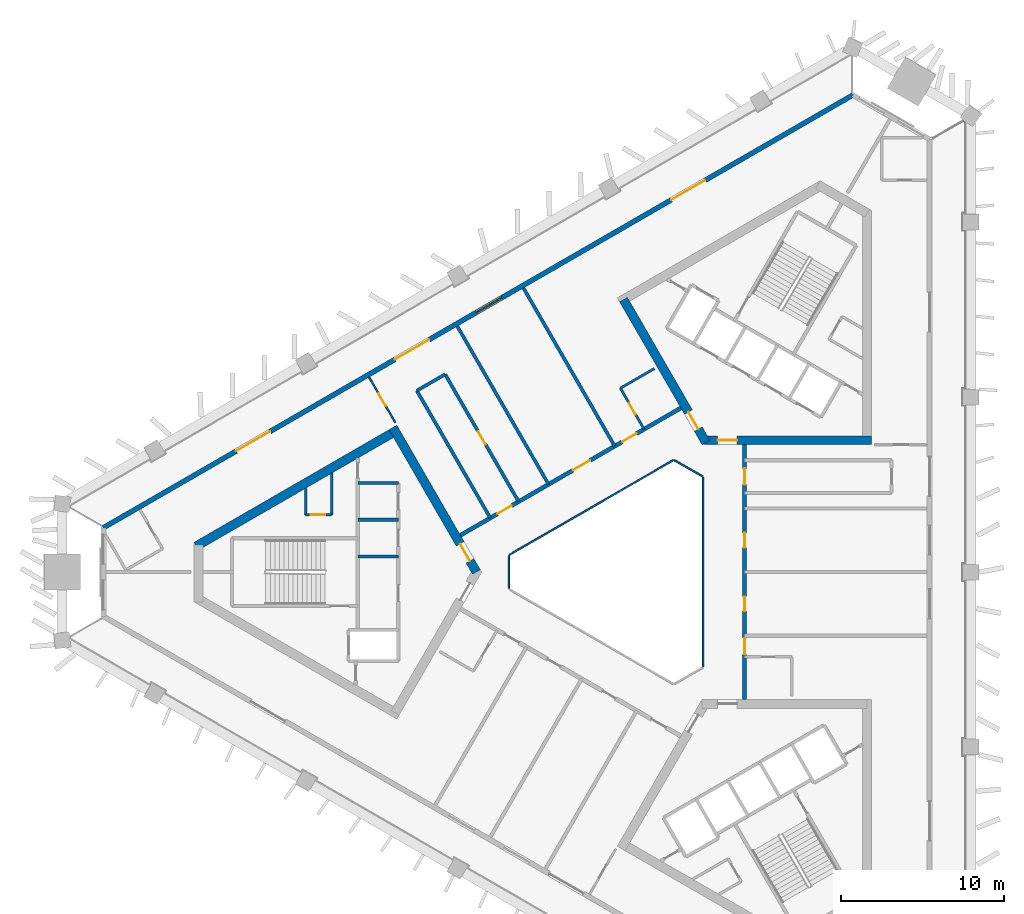
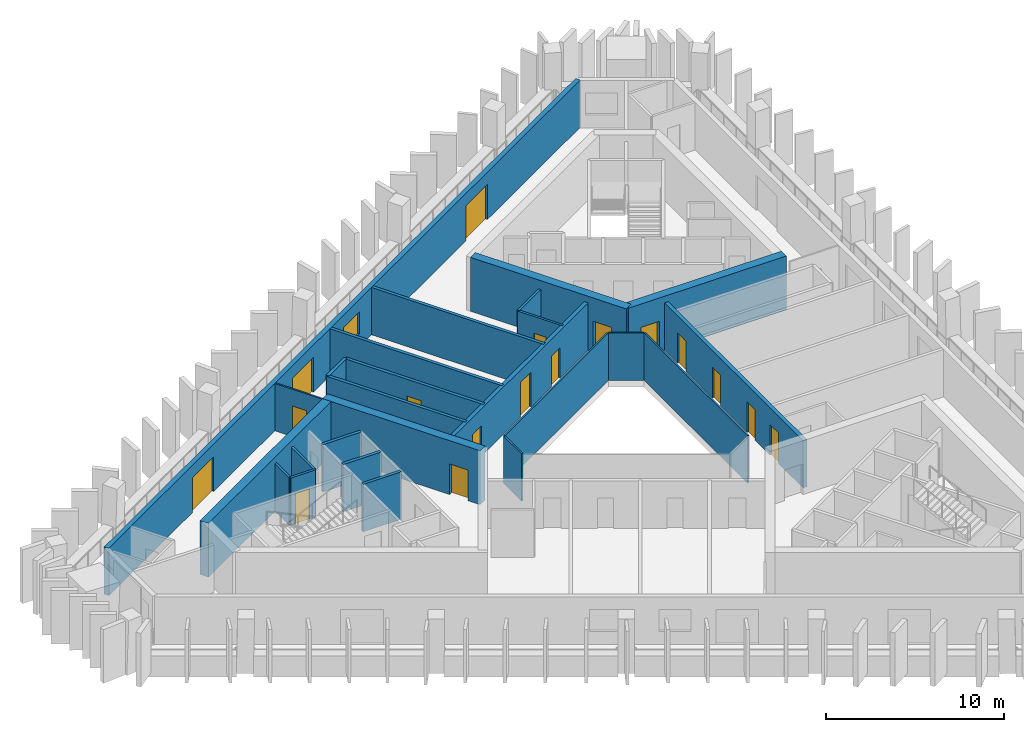
# One storey, part 4 of 9: 25 walls, 17 doors, 1 window, 18 openings.
"""IFC4 building model written with IfcOpenShell, lengths in metres."""

import ifcopenshell
import ifcopenshell.guid

model = None  # the IFC model being written
_history = None  # IfcOwnerHistory: only IFC2X3 demands one
_inside = {}  # id of a spatial element -> (the spatial element, [elements in it])
_under = {}  # id of a project, library or spatial element -> (it, [spatial elements below it])
_declared = {}  # id of a project -> (the project, [libraries it declares])
_typed = {}  # id of a type object -> (the type object, [elements of that type])
_made_of = {}  # id of a material, layer set ... -> (it, [elements and type objects made of it])


def new_model(schema):
    """Start an empty IFC model of exactly this schema.

    Asked for "IFC4X3", IfcOpenShell would pick the latest addendum, in which some entities
    have other attributes; the version numbers below select the first issue.
    IFC2X3 requires an IfcOwnerHistory on every rooted entity: one is made here for all.
    """
    global model, _history
    if schema == "IFC4X3":
        model = ifcopenshell.file(schema_version=(4, 3, 0, 0))
    else:
        model = ifcopenshell.file(schema=schema)
    _inside.clear()
    _under.clear()
    _declared.clear()
    _typed.clear()
    _made_of.clear()
    _history = None
    if model.schema == "IFC2X3":
        org = make("IfcOrganization", Name="unknown")
        user = make(
            "IfcPersonAndOrganization",
            ThePerson=make("IfcPerson", FamilyName="unknown"),
            TheOrganization=org,
        )
        app = make(
            "IfcApplication",
            ApplicationDeveloper=org,
            Version="unknown",
            ApplicationFullName="unknown",
            ApplicationIdentifier="unknown",
        )
        _history = make(
            "IfcOwnerHistory",
            OwningUser=user,
            OwningApplication=app,
            ChangeAction="ADDED",
            CreationDate=0,
        )
    return model


def make(cls, **values):
    """One entity of the class cls with the attributes given. An attribute that is None is left unset."""
    return model.create_entity(
        cls, **{name: value for name, value in values.items() if value is not None}
    )


def rooted(cls, **values):
    """An entity with a GlobalId (a new one), such as an element, a storey or a relation."""
    return make(cls, GlobalId=ifcopenshell.guid.new(), OwnerHistory=_history, **values)


def si_unit(unit_type, name, prefix=None):
    """IfcSIUnit, for example si_unit("LENGTHUNIT", "METRE", prefix="MILLI")."""
    return make("IfcSIUnit", UnitType=unit_type, Prefix=prefix, Name=name)


def assignment(units):
    """IfcUnitAssignment: the units of a project."""
    return None if units is None else make("IfcUnitAssignment", Units=units)


def point(xyz):
    """IfcCartesianPoint."""
    return None if xyz is None else make("IfcCartesianPoint", Coordinates=xyz)


def direction(xyz):
    """IfcDirection."""
    return None if xyz is None else make("IfcDirection", DirectionRatios=xyz)


def frame(location, z_axis=None, x_axis=None):
    """IfcAxis2Placement3D, a coordinate frame: its origin and axes. An axis left out is left unset."""
    return make(
        "IfcAxis2Placement3D",
        Location=point(location),
        Axis=direction(z_axis),
        RefDirection=direction(x_axis),
    )


def frame_2d(location, x_axis=None):
    """IfcAxis2Placement2D, a coordinate frame in the plane: its origin and x axis."""
    return make(
        "IfcAxis2Placement2D", Location=point(location), RefDirection=direction(x_axis)
    )


def origin():
    """The frame at (0, 0, 0) with its axes left unset."""
    return frame((0.0, 0.0, 0.0))


def place(relative_to, where):
    """IfcLocalPlacement: puts the frame where relative to a parent placement (None: the world)."""
    return make(
        "IfcLocalPlacement", PlacementRelTo=relative_to, RelativePlacement=where
    )


def context(
    kind, dimensions, precision=None, world=None, true_north=None, identifier=None
):
    """IfcGeometricRepresentationContext, for example the 3D "Model" context."""
    return make(
        "IfcGeometricRepresentationContext",
        ContextIdentifier=identifier,
        ContextType=kind,
        CoordinateSpaceDimension=dimensions,
        Precision=precision,
        WorldCoordinateSystem=world,
        TrueNorth=true_north,
    )


def subcontext(parent, identifier, kind, view, scale=None):
    """IfcGeometricRepresentationSubContext, for example "Body" below "Model"."""
    return make(
        "IfcGeometricRepresentationSubContext",
        ContextIdentifier=identifier,
        ContextType=kind,
        ParentContext=parent,
        TargetScale=scale,
        TargetView=view,
    )


def project(units=None, contexts=None):
    """IfcProject with its units and contexts."""
    return rooted(
        "IfcProject",
        Name="project",
        RepresentationContexts=contexts,
        UnitsInContext=assignment(units),
    )


def spatial(cls, under=None, at=None, **own):
    """A site, building, storey or space (cls), placed at a placement, below another one or the project."""
    s = rooted(cls, ObjectPlacement=at, **own)
    if under is not None:
        _under.setdefault(under.id(), (under, []))[1].append(s)
    return s


def profile(cls, at=None, kind="AREA", **sizes):
    """A parametric profile (cls). Its sizes go by their IFC names, for example OverallWidth=200.0."""
    return make(cls, ProfileType=kind, Position=at, **sizes)


def rectangle(**sizes):
    """IfcRectangleProfileDef."""
    return profile("IfcRectangleProfileDef", **sizes)


def extrude(swept, where, along, depth):
    """IfcExtrudedAreaSolid: the profile swept, set in the frame where, extruded along a direction by depth."""
    return make(
        "IfcExtrudedAreaSolid",
        SweptArea=swept,
        Position=where,
        ExtrudedDirection=direction(along),
        Depth=depth,
    )


def shape(context_of_items, identifier, shape_type, items):
    """IfcShapeRepresentation: the items that make up one representation, for example the "Body"."""
    return make(
        "IfcShapeRepresentation",
        ContextOfItems=context_of_items,
        RepresentationIdentifier=identifier,
        RepresentationType=shape_type,
        Items=items,
    )


def material(Name=None, Category=None):
    """IfcMaterial."""
    return make("IfcMaterial", Name=Name, Category=Category)


def layer(
    of_material, thickness, ventilated=None, Name=None, Category=None, Priority=None
):
    """IfcMaterialLayer: one layer of a wall or slab, of a material (None: an air gap)."""
    return make(
        "IfcMaterialLayer",
        Material=of_material,
        LayerThickness=thickness,
        IsVentilated=ventilated,
        Name=Name,
        Category=Category,
        Priority=Priority,
    )


def layer_set(layers, Name=None):
    """IfcMaterialLayerSet."""
    return make("IfcMaterialLayerSet", MaterialLayers=layers, LayerSetName=Name)


def made_of(thing, what):
    """Note that an element or type object is made of a material, layer set ...; save() writes the relation."""
    if what is not None:
        _made_of.setdefault(what.id(), (what, []))[1].append(thing)
    return thing


def type_object(cls, material=None, **own):
    """A type object (cls), such as IfcWallType, which elements share."""
    return made_of(rooted(cls, **own), material)


def element(
    cls,
    number,
    at=None,
    inside=None,
    cuts=None,
    type_object=None,
    material=None,
    context=None,
    identifier="Body",
    shape_type=None,
    held_by="IfcProductDefinitionShape",
    body=None,
    shapes=None,
    **own,
):
    """One element of the class cls, such as IfcWall. Its Tag is "e" and its number.

    at: its placement. inside: the storey or other place that contains it. cuts: it is an
    opening in that element (IfcRelVoidsElement). A single representation is given by context,
    identifier, shape_type and body (its items); several are given by shapes. held_by: the class
    of the entity that holds the representations. save() writes the other relations.
    """
    e = rooted(cls, Tag="e%d" % number, ObjectPlacement=at, **own)
    if body is not None:
        shapes = [shape(context, identifier, shape_type, body)]
    if shapes is not None:
        e.Representation = make(held_by, Representations=shapes)
    if inside is not None:
        _inside.setdefault(inside.id(), (inside, []))[1].append(e)
    if cuts is not None:
        rooted(
            "IfcRelVoidsElement", RelatingBuildingElement=cuts, RelatedOpeningElement=e
        )
    if type_object is not None:
        _typed.setdefault(type_object.id(), (type_object, []))[1].append(e)
    return made_of(e, material)


def fill(opening, filler):
    """IfcRelFillsElement: the door or window that sits in an opening."""
    return rooted(
        "IfcRelFillsElement",
        RelatingOpeningElement=opening,
        RelatedBuildingElement=filler,
    )


def aggregate(whole, parts):
    """IfcRelAggregates: a whole, such as a stair, and the parts it consists of."""
    return rooted("IfcRelAggregates", RelatingObject=whole, RelatedObjects=parts)


def save(model, path):
    """Write the relations noted so far, then the file.

    IfcRelAggregates (storeys below a building ...), IfcRelContainedInSpatialStructure (elements
    in a storey), IfcRelDefinesByType, IfcRelAssociatesMaterial and IfcRelDeclares: one each for
    every whole, place, type object, material and project.
    """
    for whole, parts in _under.values():
        aggregate(whole, parts)
    for where, things in _inside.values():
        rooted(
            "IfcRelContainedInSpatialStructure",
            RelatedElements=things,
            RelatingStructure=where,
        )
    for kind, things in _typed.values():
        rooted("IfcRelDefinesByType", RelatedObjects=things, RelatingType=kind)
    for what, things in _made_of.values():
        rooted("IfcRelAssociatesMaterial", RelatedObjects=things, RelatingMaterial=what)
    for by, libraries in _declared.values():
        rooted("IfcRelDeclares", RelatingContext=by, RelatedDefinitions=libraries)
    model.write(path)


model = new_model("IFC4")

# Units and contexts
model_context = context("Model", 3, precision=1e-05, world=origin(), true_north=direction((0.0, 1.0)))
body_context = subcontext(model_context, "Body", "Model", "MODEL_VIEW")
ifc_project = project(units=[si_unit("LENGTHUNIT", "METRE"), si_unit("AREAUNIT", "SQUARE_METRE"), si_unit("VOLUMEUNIT", "CUBIC_METRE"), si_unit("PLANEANGLEUNIT", "RADIAN"), si_unit("MASSUNIT", "GRAM", prefix="KILO")], contexts=[model_context])

# Site, building, storey
site_placement = place(None, origin())
site = spatial("IfcSite", under=ifc_project, at=site_placement, CompositionType="ELEMENT")
building_placement = place(site_placement, origin())
building = spatial("IfcBuilding", under=site, at=building_placement, Name="Jabali Bay Hotel Tower and Convention Centre", CompositionType="ELEMENT")
storey_placement = place(building_placement, frame((0.0, 0.0, 182.199951171875)))
storey = spatial("IfcBuildingStorey", under=building, at=storey_placement, Name="L44", CompositionType="ELEMENT", Elevation=182.199951171875)

# Walls
ifc_material_1 = material(Name="Fire-resistant glazing", Category="glass")
ifc_layer_1 = layer(ifc_material_1, 0.10009765625)
ifc_layer_set_1 = layer_set([ifc_layer_1], Name="Fire-resistant glazing")
wall_type_1 = type_object("IfcWallType", Name="Atrium glazed screen 100", PredefinedType="PARTITIONING", material=ifc_layer_set_1)
wall_1_placement = place(storey_placement, frame((79.56005859375, 74.205810546875, 0.0), z_axis=(0.0, 0.0, 1.0), x_axis=(0.0, 1.0, 0.0)))
element("IfcWall", 1, at=wall_1_placement, inside=storey, type_object=wall_type_1, Name="Atrium screen 1 L44", PredefinedType="PARTITIONING", context=body_context, shape_type="SweptSolid", body=[
    extrude(rectangle(XDim=11.58837890625, YDim=0.10009765625, at=frame_2d((5.794189453125, 0.0))), origin(), (0.0, 0.0, 1.0), 3.25),
])
wall_2_placement = place(storey_placement, frame((79.530029296875, 85.84619140625, 0.0), z_axis=(0.0, 0.0, 1.0), x_axis=(-0.866041268327, 0.499972520799, 0.0)))
element("IfcWall", 2, at=wall_2_placement, inside=storey, type_object=wall_type_1, Name="Atrium screen 2 L44", PredefinedType="PARTITIONING", context=body_context, shape_type="SweptSolid", body=[
    extrude(rectangle(XDim=2.0, YDim=0.10009765625, at=frame_2d((1.0, 0.0))), origin(), (0.0, 0.0, 1.0), 3.25),
])
wall_3_placement = place(storey_placement, frame((77.738037109375, 86.84619140625, 0.0), z_axis=(0.0, 0.0, 1.0), x_axis=(-0.866026658274, -0.499997827154, 0.0)))
element("IfcWall", 3, at=wall_3_placement, inside=storey, type_object=wall_type_1, Name="Atrium screen 3 L44", PredefinedType="PARTITIONING", context=body_context, shape_type="SweptSolid", body=[
    extrude(rectangle(XDim=11.58837890625, YDim=0.10009765625, at=frame_2d((5.794189453125, 0.0))), origin(), (0.0, 0.0, 1.0), 3.25),
])
wall_4_placement = place(storey_placement, frame((67.672119140625, 81.0, 0.0), z_axis=(0.0, 0.0, 1.0), x_axis=(0.0, -1.0, 0.0)))
element("IfcWall", 4, at=wall_4_placement, inside=storey, type_object=wall_type_1, Name="Atrium screen 4 L44", PredefinedType="PARTITIONING", context=body_context, shape_type="SweptSolid", body=[
    extrude(rectangle(XDim=2.0, YDim=0.10009765625, at=frame_2d((1.0, 0.0))), origin(), (0.0, 0.0, 1.0), 3.25),
])

# Wall, opening, door
ifc_material_2 = material(Name="Fire-rated board partition")
ifc_layer_2 = layer(ifc_material_2, 0.14990234375)
ifc_layer_set_2 = layer_set([ifc_layer_2], Name="Fire-rated board partition")
wall_type_2 = type_object("IfcWallType", Name="Core room partition 150", PredefinedType="PARTITIONING", material=ifc_layer_set_2)
wall_5_placement = place(storey_placement, frame((56.820068359375, 83.5, 0.0), z_axis=(0.0, 0.0, 1.0), x_axis=(-1.0, 0.0, 0.0)))
wall_5 = element("IfcWall", 5, at=wall_5_placement, inside=storey, type_object=wall_type_2, Name="Core wall 0.1 L44", PredefinedType="PARTITIONING", context=body_context, shape_type="SweptSolid", body=[
    extrude(rectangle(XDim=1.60009765625, YDim=0.14990234375, at=frame_2d((0.800048828125, 0.0))), origin(), (0.0, 0.0, 1.0), 3.25),
])
opening_1_placement = place(wall_5_placement, frame((0.387451171875, 0.0, 0.0)))
opening_1 = element("IfcOpeningElement", 6, at=opening_1_placement, cuts=wall_5, Name="Opening D955", PredefinedType="OPENING", context=body_context, shape_type="SweptSolid", body=[
    extrude(rectangle(XDim=0.89990234375, YDim=2.10009765625, at=frame_2d((0.449951171875, 1.050048828125))), frame((0.0, 0.08544921875, 0.0), z_axis=(0.0, -1.0, 0.0), x_axis=(1.0, 0.0, 0.0)), (0.0, 0.0, 1.0), 0.1708984375),
])
ifc_material_3 = material(Name="Fire-rated steel door", Category="steel")
door_type_1 = type_object("IfcDoorType", Name="Core room door 900 x 2100", OperationType="NOTDEFINED", PredefinedType="NOTDEFINED", material=ifc_material_3)
door_1_placement = place(opening_1_placement, origin())
door_1 = element("IfcDoor", 7, at=door_1_placement, inside=storey, type_object=door_type_1, Name="Core room door D955", OperationType="SINGLE_SWING_LEFT", OverallHeight=2.10009765625, OverallWidth=0.89990234375, PredefinedType="NOTDEFINED", context=body_context, shape_type="SweptSolid", body=[
    extrude(rectangle(XDim=0.89990234375, YDim=2.10009765625, at=frame_2d((0.449951171875, 1.050048828125))), frame((0.0, 0.02490234375, 0.0), z_axis=(0.0, -1.0, 0.0), x_axis=(1.0, 0.0, 0.0)), (0.0, 0.0, 1.0), 0.050048828125),
])
fill(opening_1, door_1)

# Walls
wall_6_placement = place(storey_placement, frame((56.820068359375, 86.050537109375, 0.0), z_axis=(0.0, 0.0, 1.0), x_axis=(0.0, -1.0, 0.0)))
element("IfcWall", 8, at=wall_6_placement, inside=storey, type_object=wall_type_2, Name="Core wall 0.13 L44", PredefinedType="PARTITIONING", context=body_context, shape_type="SweptSolid", body=[
    extrude(rectangle(XDim=2.550537109375, YDim=0.14990234375, at=frame_2d((1.275390625, 0.0))), origin(), (0.0, 0.0, 1.0), 3.25),
])
wall_7_placement = place(storey_placement, frame((55.219970703125, 85.126953125, 0.0), z_axis=(0.0, 0.0, 1.0), x_axis=(0.0, -1.0, 0.0)))
element("IfcWall", 9, at=wall_7_placement, inside=storey, type_object=wall_type_2, Name="Core wall 0.14 L44", PredefinedType="PARTITIONING", context=body_context, shape_type="SweptSolid", body=[
    extrude(rectangle(XDim=1.626953125, YDim=0.14990234375, at=frame_2d((0.8134765625, 0.0))), origin(), (0.0, 0.0, 1.0), 3.25),
])
ifc_material_4 = material(Name="Concrete C40", Category="concrete")
ifc_layer_3 = layer(ifc_material_4, 0.199951171875)
ifc_layer_set_3 = layer_set([ifc_layer_3], Name="Concrete C40")
wall_type_3 = type_object("IfcWallType", Name="Core stair wall 200", PredefinedType="SOLIDWALL", material=ifc_layer_set_3)
for number, where, z_axis, x_axis, name in (
    (10, (60.89990234375, 85.449951171875, 0.0), (0.0, 0.0, 1.0), (-1.0, 0.0, 0.0), "Core wall 0.0 L44"),
    (11, (60.89990234375, 83.199951171875, 0.0), (0.0, 0.0, 1.0), (-1.0, 0.0, 0.0), "Core wall 0.2 L44"),
    (12, (60.89990234375, 80.949951171875, 0.0), (0.0, 0.0, 1.0), (-1.0, 0.0, 0.0), "Core wall 0.4 L44"),
):
    element("IfcWall", number, at=place(storey_placement, frame(where, z_axis=z_axis, x_axis=x_axis)), inside=storey, type_object=wall_type_3, Name=name, PredefinedType="SOLIDWALL", context=body_context, shape_type="SweptSolid", body=[
        extrude(rectangle(XDim=2.47998046875, YDim=0.199951171875, at=frame_2d((1.239990234375, 0.0))), origin(), (0.0, 0.0, 1.0), 3.25),
    ])

# Wall, opening, door
ifc_material_5 = material(Name="Concrete C60", Category="concrete")
ifc_layer_4 = layer(ifc_material_5, 0.550048828125)
ifc_layer_set_4 = layer_set([ifc_layer_4], Name="Concrete C60")
wall_type_4 = type_object("IfcWallType", Name="Core wall 550", PredefinedType="SHEAR", material=ifc_layer_set_4)
wall_8_placement = place(storey_placement, frame((65.682373046875, 80.0, 0.0), z_axis=(0.0, 0.0, 1.0), x_axis=(-0.500000202252, 0.866025287014, 0.0)))
wall_8 = element("IfcWall", 13, at=wall_8_placement, inside=storey, type_object=wall_type_4, Name="Core wall 1.1 L44", PredefinedType="SHEAR", context=body_context, shape_type="SweptSolid", body=[
    extrude(rectangle(XDim=10.22119140625, YDim=0.550048828125, at=frame_2d((5.110595703125, 0.0))), origin(), (0.0, 0.0, 1.0), 3.699951171875),
])
opening_2_placement = place(wall_8_placement, frame((0.791259765625, 0.0, 0.0)))
opening_2 = element("IfcOpeningElement", 14, at=opening_2_placement, cuts=wall_8, Name="Opening D947", PredefinedType="OPENING", context=body_context, shape_type="SweptSolid", body=[
    extrude(rectangle(XDim=1.199951171875, YDim=2.10009765625, at=frame_2d((0.60009765625, 1.050048828125))), frame((0.0, 0.28564453125, 0.0), z_axis=(0.0, -1.0, 0.0), x_axis=(1.0, 0.0, 0.0)), (0.0, 0.0, 1.0), 0.571044921875),
])
door_type_2 = type_object("IfcDoorType", Name="Corridor end fire door 1200 x 2100", OperationType="NOTDEFINED", PredefinedType="NOTDEFINED", material=ifc_material_3)
door_2_placement = place(opening_2_placement, origin())
door_2 = element("IfcDoor", 15, at=door_2_placement, inside=storey, type_object=door_type_2, Name="Corridor end fire door D947", OperationType="SINGLE_SWING_RIGHT", OverallHeight=2.10009765625, OverallWidth=1.199951171875, PredefinedType="NOTDEFINED", context=body_context, shape_type="SweptSolid", body=[
    extrude(rectangle(XDim=1.199951171875, YDim=2.10009765625, at=frame_2d((0.60009765625, 1.050048828125))), frame((0.0, 0.02490234375, 0.0), z_axis=(0.0, -1.0, 0.0), x_axis=(1.0, 0.0, 0.0)), (0.0, 0.0, 1.0), 0.050048828125),
])
fill(opening_2, door_2)

# Wall
wall_9_placement = place(storey_placement, frame((60.709228515625, 88.61376953125, 0.0), z_axis=(0.0, 0.0, 1.0), x_axis=(-0.866020164116, -0.500009075263, 0.0)))
element("IfcWall", 16, at=wall_9_placement, inside=storey, type_object=wall_type_4, Name="Core wall 1.2 L44", PredefinedType="SHEAR", context=body_context, shape_type="SweptSolid", body=[
    extrude(rectangle(XDim=14.058349609375, YDim=0.550048828125, at=frame_2d((7.029296875, 0.0))), origin(), (0.0, 0.0, 1.0), 3.699951171875),
])

# Wall, opening, door
wall_10_placement = place(storey_placement, frame((79.65869140625, 88.0693359375, 0.0), z_axis=(0.0, 0.0, 1.0), x_axis=(1.0, 0.0, 0.0)))
wall_10 = element("IfcWall", 17, at=wall_10_placement, inside=storey, type_object=wall_type_4, Name="Core wall 2.1 L44", PredefinedType="SHEAR", context=body_context, shape_type="SweptSolid", body=[
    extrude(rectangle(XDim=10.22119140625, YDim=0.550048828125, at=frame_2d((5.110595703125, 0.0))), origin(), (0.0, 0.0, 1.0), 3.699951171875),
])
opening_3_placement = place(wall_10_placement, frame((0.791259765625, 0.0, 0.0)))
opening_3 = element("IfcOpeningElement", 18, at=opening_3_placement, cuts=wall_10, Name="Opening D956", PredefinedType="OPENING", context=body_context, shape_type="SweptSolid", body=[
    extrude(rectangle(XDim=1.199951171875, YDim=2.10009765625, at=frame_2d((0.60009765625, 1.050048828125))), frame((0.0, 0.28564453125, 0.0), z_axis=(0.0, -1.0, 0.0), x_axis=(1.0, 0.0, 0.0)), (0.0, 0.0, 1.0), 0.571044921875),
])
door_3_placement = place(opening_3_placement, origin())
door_3 = element("IfcDoor", 19, at=door_3_placement, inside=storey, type_object=door_type_2, Name="Corridor end fire door D956", OperationType="SINGLE_SWING_RIGHT", OverallHeight=2.10009765625, OverallWidth=1.199951171875, PredefinedType="NOTDEFINED", context=body_context, shape_type="SweptSolid", body=[
    extrude(rectangle(XDim=1.199951171875, YDim=2.10009765625, at=frame_2d((0.60009765625, 1.050048828125))), frame((0.0, 0.02490234375, 0.0), z_axis=(0.0, -1.0, 0.0), x_axis=(1.0, 0.0, 0.0)), (0.0, 0.0, 1.0), 0.050048828125),
])
fill(opening_3, door_3)

wall_11_placement = place(storey_placement, frame((74.685546875, 96.682861328125, 0.0), z_axis=(0.0, 0.0, 1.0), x_axis=(0.499997818338, -0.866026663364, 0.0)))
wall_11 = element("IfcWall", 20, at=wall_11_placement, inside=storey, type_object=wall_type_4, Name="Core wall 2.5 L44", PredefinedType="SHEAR", context=body_context, shape_type="SweptSolid", body=[
    extrude(rectangle(XDim=10.10498046875, YDim=0.550048828125, at=frame_2d((5.052490234375, 0.0))), origin(), (0.0, 0.0, 1.0), 3.699951171875),
])
opening_4_placement = place(wall_11_placement, frame((7.955078125, 0.0, 0.0)))
opening_4 = element("IfcOpeningElement", 21, at=opening_4_placement, cuts=wall_11, Name="Opening D957", PredefinedType="OPENING", context=body_context, shape_type="SweptSolid", body=[
    extrude(rectangle(XDim=1.199951171875, YDim=2.10009765625, at=frame_2d((0.60009765625, 1.050048828125))), frame((0.0, 0.28564453125, 0.0), z_axis=(0.0, -1.0, 0.0), x_axis=(1.0, 0.0, 0.0)), (0.0, 0.0, 1.0), 0.571044921875),
])
door_4_placement = place(opening_4_placement, origin())
door_4 = element("IfcDoor", 22, at=door_4_placement, inside=storey, type_object=door_type_2, Name="Corridor end fire door D957", OperationType="SINGLE_SWING_LEFT", OverallHeight=2.10009765625, OverallWidth=1.199951171875, PredefinedType="NOTDEFINED", context=body_context, shape_type="SweptSolid", body=[
    extrude(rectangle(XDim=1.199951171875, YDim=2.10009765625, at=frame_2d((0.60009765625, 1.050048828125))), frame((0.0, 0.02490234375, 0.0), z_axis=(0.0, -1.0, 0.0), x_axis=(1.0, 0.0, 0.0)), (0.0, 0.0, 1.0), 0.050048828125),
])
fill(opening_4, door_4)

# Wall, openings, doors
ifc_layer_5 = layer(ifc_material_5, 0.25)
ifc_layer_set_5 = layer_set([ifc_layer_5], Name="Concrete C60")
wall_type_5 = type_object("IfcWallType", Name="Corridor wall 250", PredefinedType="SHEAR", material=ifc_layer_set_5)
wall_12_placement = place(storey_placement, frame((82.10009765625, 72.205810546875, 0.0), z_axis=(0.0, 0.0, 1.0), x_axis=(0.0, 1.0, 0.0)))
wall_12 = element("IfcWall", 23, at=wall_12_placement, inside=storey, type_object=wall_type_5, Name="Corridor wall 1 L44", PredefinedType="SHEAR", context=body_context, shape_type="SweptSolid", body=[
    extrude(rectangle(XDim=15.58837890625, YDim=0.25, at=frame_2d((7.794189453125, 0.0))), origin(), (0.0, 0.0, 1.0), 3.25),
])
opening_5_placement = place(wall_12_placement, frame((2.7470703125, 0.0, 0.0)))
opening_5 = element("IfcOpeningElement", 24, at=opening_5_placement, cuts=wall_12, Name="Opening 4402", PredefinedType="OPENING", context=body_context, shape_type="SweptSolid", body=[
    extrude(rectangle(XDim=1.0, YDim=2.10009765625, at=frame_2d((0.5, 1.050048828125))), frame((0.0, 0.135498046875, 0.0), z_axis=(0.0, -1.0, 0.0), x_axis=(1.0, 0.0, 0.0)), (0.0, 0.0, 1.0), 0.27099609375),
])
opening_6_placement = place(wall_12_placement, frame((5.395751953125, 0.0, 0.0)))
opening_6 = element("IfcOpeningElement", 25, at=opening_6_placement, cuts=wall_12, Name="Opening 4403", PredefinedType="OPENING", context=body_context, shape_type="SweptSolid", body=[
    extrude(rectangle(XDim=0.89990234375, YDim=2.10009765625, at=frame_2d((0.449951171875, 1.050048828125))), frame((0.0, 0.135498046875, 0.0), z_axis=(0.0, -1.0, 0.0), x_axis=(1.0, 0.0, 0.0)), (0.0, 0.0, 1.0), 0.27099609375),
])
opening_7_placement = place(wall_12_placement, frame((9.292724609375, 0.0, 0.0)))
opening_7 = element("IfcOpeningElement", 26, at=opening_7_placement, cuts=wall_12, Name="Opening 4404", PredefinedType="OPENING", context=body_context, shape_type="SweptSolid", body=[
    extrude(rectangle(XDim=0.89990234375, YDim=2.10009765625, at=frame_2d((0.449951171875, 1.050048828125))), frame((0.0, 0.135498046875, 0.0), z_axis=(0.0, -1.0, 0.0), x_axis=(1.0, 0.0, 0.0)), (0.0, 0.0, 1.0), 0.27099609375),
])
opening_8_placement = place(wall_12_placement, frame((13.139892578125, 0.0, 0.0)))
opening_8 = element("IfcOpeningElement", 27, at=opening_8_placement, cuts=wall_12, Name="Opening 4405", PredefinedType="OPENING", context=body_context, shape_type="SweptSolid", body=[
    extrude(rectangle(XDim=1.0, YDim=2.10009765625, at=frame_2d((0.5, 1.050048828125))), frame((0.0, 0.135498046875, 0.0), z_axis=(0.0, -1.0, 0.0), x_axis=(1.0, 0.0, 0.0)), (0.0, 0.0, 1.0), 0.27099609375),
])
ifc_material_6 = material(Name="Timber", Category="wood")
door_type_3 = type_object("IfcDoorType", Name="Guest room door 1000 x 2100", OperationType="NOTDEFINED", PredefinedType="NOTDEFINED", material=ifc_material_6)
door_5_placement = place(opening_5_placement, origin())
door_5 = element("IfcDoor", 28, at=door_5_placement, inside=storey, type_object=door_type_3, Name="Door 4402", OperationType="SINGLE_SWING_LEFT", OverallHeight=2.10009765625, OverallWidth=1.0, PredefinedType="NOTDEFINED", context=body_context, shape_type="SweptSolid", body=[
    extrude(rectangle(XDim=1.0, YDim=2.10009765625, at=frame_2d((0.5, 1.050048828125))), frame((0.0, 0.02490234375, 0.0), z_axis=(0.0, -1.0, 0.0), x_axis=(1.0, 0.0, 0.0)), (0.0, 0.0, 1.0), 0.050048828125),
])
fill(opening_5, door_5)
door_6_placement = place(opening_8_placement, origin())
door_6 = element("IfcDoor", 29, at=door_6_placement, inside=storey, type_object=door_type_3, Name="Door 4405", OperationType="SINGLE_SWING_RIGHT", OverallHeight=2.10009765625, OverallWidth=1.0, PredefinedType="NOTDEFINED", context=body_context, shape_type="SweptSolid", body=[
    extrude(rectangle(XDim=1.0, YDim=2.10009765625, at=frame_2d((0.5, 1.050048828125))), frame((0.0, 0.02490234375, 0.0), z_axis=(0.0, -1.0, 0.0), x_axis=(1.0, 0.0, 0.0)), (0.0, 0.0, 1.0), 0.050048828125),
])
fill(opening_8, door_6)
door_type_4 = type_object("IfcDoorType", Name="Internal door 900 x 2100", OperationType="NOTDEFINED", PredefinedType="NOTDEFINED", material=ifc_material_6)
door_7_placement = place(opening_6_placement, origin())
door_7 = element("IfcDoor", 30, at=door_7_placement, inside=storey, type_object=door_type_4, Name="Door 4403", OperationType="SINGLE_SWING_LEFT", OverallHeight=2.10009765625, OverallWidth=0.89990234375, PredefinedType="NOTDEFINED", context=body_context, shape_type="SweptSolid", body=[
    extrude(rectangle(XDim=0.89990234375, YDim=2.10009765625, at=frame_2d((0.449951171875, 1.050048828125))), frame((0.0, 0.02490234375, 0.0), z_axis=(0.0, -1.0, 0.0), x_axis=(1.0, 0.0, 0.0)), (0.0, 0.0, 1.0), 0.050048828125),
])
fill(opening_6, door_7)
door_8_placement = place(opening_7_placement, origin())
door_8 = element("IfcDoor", 31, at=door_8_placement, inside=storey, type_object=door_type_4, Name="Door 4404", OperationType="SINGLE_SWING_RIGHT", OverallHeight=2.10009765625, OverallWidth=0.89990234375, PredefinedType="NOTDEFINED", context=body_context, shape_type="SweptSolid", body=[
    extrude(rectangle(XDim=0.89990234375, YDim=2.10009765625, at=frame_2d((0.449951171875, 1.050048828125))), frame((0.0, 0.02490234375, 0.0), z_axis=(0.0, -1.0, 0.0), x_axis=(1.0, 0.0, 0.0)), (0.0, 0.0, 1.0), 0.050048828125),
])
fill(opening_7, door_8)

wall_13_placement = place(storey_placement, frame((78.199951171875, 90.0458984375, 0.0), z_axis=(0.0, 0.0, 1.0), x_axis=(-0.866026492143, -0.499998114903, 0.0)))
wall_13 = element("IfcWall", 32, at=wall_13_placement, inside=storey, type_object=wall_type_5, Name="Corridor wall 2 L44", PredefinedType="SHEAR", context=body_context, shape_type="SweptSolid", body=[
    extrude(rectangle(XDim=15.58837890625, YDim=0.25, at=frame_2d((7.794189453125, 0.0))), origin(), (0.0, 0.0, 1.0), 3.25),
])
opening_9_placement = place(wall_13_placement, frame((3.13818359375, 0.0, 0.0)))
opening_9 = element("IfcOpeningElement", 33, at=opening_9_placement, cuts=wall_13, Name="Opening 4410", PredefinedType="OPENING", context=body_context, shape_type="SweptSolid", body=[
    extrude(rectangle(XDim=1.0, YDim=2.10009765625, at=frame_2d((0.5, 1.050048828125))), frame((0.0, 0.135498046875, 0.0), z_axis=(0.0, -1.0, 0.0), x_axis=(1.0, 0.0, 0.0)), (0.0, 0.0, 1.0), 0.27099609375),
])
opening_10_placement = place(wall_13_placement, frame((6.414794921875, 0.0, 0.0)))
opening_10 = element("IfcOpeningElement", 34, at=opening_10_placement, cuts=wall_13, Name="Opening 4411", PredefinedType="OPENING", context=body_context, shape_type="SweptSolid", body=[
    extrude(rectangle(XDim=1.199951171875, YDim=2.39990234375, at=frame_2d((0.60009765625, 1.199951171875))), frame((0.0, 0.135498046875, 0.0), z_axis=(0.0, -1.0, 0.0), x_axis=(1.0, 0.0, 0.0)), (0.0, 0.0, 1.0), 0.27099609375),
])
opening_11_placement = place(wall_13_placement, frame((11.970703125, 0.0, 0.0)))
opening_11 = element("IfcOpeningElement", 35, at=opening_11_placement, cuts=wall_13, Name="Opening 4412", PredefinedType="OPENING", context=body_context, shape_type="SweptSolid", body=[
    extrude(rectangle(XDim=1.0, YDim=2.10009765625, at=frame_2d((0.5, 1.050048828125))), frame((0.0, 0.135498046875, 0.0), z_axis=(0.0, -1.0, 0.0), x_axis=(1.0, 0.0, 0.0)), (0.0, 0.0, 1.0), 0.27099609375),
])
door_9_placement = place(opening_9_placement, origin())
door_9 = element("IfcDoor", 36, at=door_9_placement, inside=storey, type_object=door_type_3, Name="Door 4410", OperationType="SINGLE_SWING_LEFT", OverallHeight=2.10009765625, OverallWidth=1.0, PredefinedType="NOTDEFINED", context=body_context, shape_type="SweptSolid", body=[
    extrude(rectangle(XDim=1.0, YDim=2.10009765625, at=frame_2d((0.5, 1.050048828125))), frame((0.0, 0.02490234375, 0.0), z_axis=(0.0, -1.0, 0.0), x_axis=(1.0, 0.0, 0.0)), (0.0, 0.0, 1.0), 0.050048828125),
])
fill(opening_9, door_9)
door_10_placement = place(opening_11_placement, origin())
door_10 = element("IfcDoor", 37, at=door_10_placement, inside=storey, type_object=door_type_3, Name="Door 4412", OperationType="SINGLE_SWING_RIGHT", OverallHeight=2.10009765625, OverallWidth=1.0, PredefinedType="NOTDEFINED", context=body_context, shape_type="SweptSolid", body=[
    extrude(rectangle(XDim=1.0, YDim=2.10009765625, at=frame_2d((0.5, 1.050048828125))), frame((0.0, 0.02490234375, 0.0), z_axis=(0.0, -1.0, 0.0), x_axis=(1.0, 0.0, 0.0)), (0.0, 0.0, 1.0), 0.050048828125),
])
fill(opening_11, door_10)
door_type_5 = type_object("IfcDoorType", Name="Public room door 1200 x 2400", OperationType="NOTDEFINED", PredefinedType="NOTDEFINED", material=ifc_material_6)
door_11_placement = place(opening_10_placement, origin())
door_11 = element("IfcDoor", 38, at=door_11_placement, inside=storey, type_object=door_type_5, Name="Door 4411", OperationType="SINGLE_SWING_LEFT", OverallHeight=2.39990234375, OverallWidth=1.199951171875, PredefinedType="NOTDEFINED", context=body_context, shape_type="SweptSolid", body=[
    extrude(rectangle(XDim=1.199951171875, YDim=2.39990234375, at=frame_2d((0.60009765625, 1.199951171875))), frame((0.0, 0.02490234375, 0.0), z_axis=(0.0, -1.0, 0.0), x_axis=(1.0, 0.0, 0.0)), (0.0, 0.0, 1.0), 0.050048828125),
])
fill(opening_10, door_11)

# Wall, openings, doors, window
ifc_layer_6 = layer(ifc_material_4, 0.300048828125)
ifc_layer_set_6 = layer_set([ifc_layer_6], Name="Concrete C40")
wall_type_6 = type_object("IfcWallType", Name="External wall 300", PredefinedType="SOLIDWALL", material=ifc_layer_set_6)
wall_14_placement = place(storey_placement, frame((42.840576171875, 82.710693359375, 0.0), z_axis=(0.0, 0.0, 1.0), x_axis=(0.866024774967, 0.500001089142, 0.0)))
wall_14 = element("IfcWall", 39, at=wall_14_placement, inside=storey, type_object=wall_type_6, Name="External wall north-west face L44", PredefinedType="SOLIDWALL", context=body_context, shape_type="SweptSolid", body=[
    extrude(rectangle(XDim=52.9912109375, YDim=0.300048828125, at=frame_2d((26.49560546875, 0.0))), origin(), (0.0, 0.0, 1.0), 3.25),
])
opening_12_placement = place(wall_14_placement, frame((20.618896484375, 0.0, 0.0)))
opening_12 = element("IfcOpeningElement", 40, at=opening_12_placement, cuts=wall_14, Name="Opening SD1", PredefinedType="OPENING", context=body_context, shape_type="SweptSolid", body=[
    extrude(rectangle(XDim=2.39990234375, YDim=2.39990234375, at=frame_2d((1.199951171875, 1.199951171875))), frame((0.0, 0.16064453125, 0.0), z_axis=(0.0, -1.0, 0.0), x_axis=(1.0, 0.0, 0.0)), (0.0, 0.0, 1.0), 0.321044921875),
])
opening_13_placement = place(wall_14_placement, frame((9.392333984375, 0.0, 0.0)))
opening_13 = element("IfcOpeningElement", 41, at=opening_13_placement, cuts=wall_14, Name="Opening SD1", PredefinedType="OPENING", context=body_context, shape_type="SweptSolid", body=[
    extrude(rectangle(XDim=2.39990234375, YDim=2.39990234375, at=frame_2d((1.199951171875, 1.199951171875))), frame((0.0, 0.16064453125, 0.0), z_axis=(0.0, -1.0, 0.0), x_axis=(1.0, 0.0, 0.0)), (0.0, 0.0, 1.0), 0.321044921875),
])
opening_14_placement = place(wall_14_placement, frame((40.145263671875, 0.0, 0.0)))
opening_14 = element("IfcOpeningElement", 42, at=opening_14_placement, cuts=wall_14, Name="Opening SD1", PredefinedType="OPENING", context=body_context, shape_type="SweptSolid", body=[
    extrude(rectangle(XDim=2.39990234375, YDim=2.39990234375, at=frame_2d((1.199951171875, 1.199951171875))), frame((0.0, 0.16064453125, 0.0), z_axis=(0.0, -1.0, 0.0), x_axis=(1.0, 0.0, 0.0)), (0.0, 0.0, 1.0), 0.321044921875),
])
opening_15_placement = place(wall_14_placement, frame((26.375, 0.0, 0.89990234375)))
opening_15 = element("IfcOpeningElement", 43, at=opening_15_placement, cuts=wall_14, Name="Opening W1", PredefinedType="OPENING", context=body_context, shape_type="SweptSolid", body=[
    extrude(rectangle(XDim=1.800048828125, YDim=1.5, at=frame_2d((0.89990234375, 0.75))), frame((0.0, 0.16064453125, 0.0), z_axis=(0.0, -1.0, 0.0), x_axis=(1.0, 0.0, 0.0)), (0.0, 0.0, 1.0), 0.321044921875),
])
ifc_material_7 = material(Name="Glass", Category="glass")
door_type_6 = type_object("IfcDoorType", Name="Loggia sliding door 2400 x 2400", OperationType="NOTDEFINED", PredefinedType="NOTDEFINED", material=ifc_material_7)
door_12_placement = place(opening_12_placement, origin())
door_12 = element("IfcDoor", 44, at=door_12_placement, inside=storey, type_object=door_type_6, Name="Loggia sliding door 4407", OperationType="SLIDING_TO_LEFT", OverallHeight=2.39990234375, OverallWidth=2.39990234375, PredefinedType="NOTDEFINED", context=body_context, shape_type="SweptSolid", body=[
    extrude(rectangle(XDim=2.39990234375, YDim=2.39990234375, at=frame_2d((1.199951171875, 1.199951171875))), frame((0.0, 0.02490234375, 0.0), z_axis=(0.0, -1.0, 0.0), x_axis=(1.0, 0.0, 0.0)), (0.0, 0.0, 1.0), 0.050048828125),
])
fill(opening_12, door_12)
door_13_placement = place(opening_13_placement, origin())
door_13 = element("IfcDoor", 45, at=door_13_placement, inside=storey, type_object=door_type_6, Name="Loggia sliding door 4407", OperationType="SLIDING_TO_RIGHT", OverallHeight=2.39990234375, OverallWidth=2.39990234375, PredefinedType="NOTDEFINED", context=body_context, shape_type="SweptSolid", body=[
    extrude(rectangle(XDim=2.39990234375, YDim=2.39990234375, at=frame_2d((1.199951171875, 1.199951171875))), frame((0.0, 0.02490234375, 0.0), z_axis=(0.0, -1.0, 0.0), x_axis=(1.0, 0.0, 0.0)), (0.0, 0.0, 1.0), 0.050048828125),
])
fill(opening_13, door_13)
door_14_placement = place(opening_14_placement, origin())
door_14 = element("IfcDoor", 46, at=door_14_placement, inside=storey, type_object=door_type_6, Name="Loggia sliding door 4406", OperationType="SLIDING_TO_LEFT", OverallHeight=2.39990234375, OverallWidth=2.39990234375, PredefinedType="NOTDEFINED", context=body_context, shape_type="SweptSolid", body=[
    extrude(rectangle(XDim=2.39990234375, YDim=2.39990234375, at=frame_2d((1.199951171875, 1.199951171875))), frame((0.0, 0.02490234375, 0.0), z_axis=(0.0, -1.0, 0.0), x_axis=(1.0, 0.0, 0.0)), (0.0, 0.0, 1.0), 0.050048828125),
])
fill(opening_14, door_14)
window_type = type_object("IfcWindowType", Name="Window 1800 x 1500", PartitioningType="SINGLE_PANEL", PredefinedType="WINDOW", material=ifc_material_7)
window_placement = place(opening_15_placement, origin())
window = element("IfcWindow", 47, at=window_placement, inside=storey, type_object=window_type, Name="Window", OverallHeight=1.5, OverallWidth=1.800048828125, PartitioningType="SINGLE_PANEL", PredefinedType="WINDOW", context=body_context, shape_type="SweptSolid", body=[
    extrude(rectangle(XDim=1.800048828125, YDim=1.5, at=frame_2d((0.89990234375, 0.75))), frame((0.0, 0.030029296875, 0.0), z_axis=(0.0, -1.0, 0.0), x_axis=(1.0, 0.0, 0.0)), (0.0, 0.0, 1.0), 0.06005859375),
])
fill(opening_15, window)

# Wall, opening, door
ifc_material_8 = material(Name="Plasterboard on steel stud", Category="steel")
ifc_layer_7 = layer(ifc_material_8, 0.10009765625)
ifc_layer_set_7 = layer_set([ifc_layer_7], Name="Plasterboard on steel stud")
wall_type_7 = type_object("IfcWallType", Name="Partition 100 unit", PredefinedType="PARTITIONING", material=ifc_layer_set_7)
wall_15_placement = place(storey_placement, frame((59.11083984375, 91.932373046875, 0.0), z_axis=(0.0, 0.0, 1.0), x_axis=(0.499980071345, -0.866036909293, 0.0)))
wall_15 = element("IfcWall", 48, at=wall_15_placement, inside=storey, type_object=wall_type_7, Name="Partition P02 L44 019", PredefinedType="PARTITIONING", context=body_context, shape_type="SweptSolid", body=[
    extrude(rectangle(XDim=3.199462890625, YDim=0.10009765625, at=frame_2d((1.599609375, 0.0))), origin(), (0.0, 0.0, 1.0), 3.25),
])
opening_16_placement = place(wall_15_placement, frame((1.14990234375, 0.0, 0.0)))
opening_16 = element("IfcOpeningElement", 49, at=opening_16_placement, cuts=wall_15, Name="Opening 4413", PredefinedType="OPENING", context=body_context, shape_type="SweptSolid", body=[
    extrude(rectangle(XDim=0.89990234375, YDim=2.10009765625, at=frame_2d((0.449951171875, 1.050048828125))), frame((0.0, 0.060546875, 0.0), z_axis=(0.0, -1.0, 0.0), x_axis=(1.0, 0.0, 0.0)), (0.0, 0.0, 1.0), 0.12109375),
])
door_15_placement = place(opening_16_placement, origin())
door_15 = element("IfcDoor", 50, at=door_15_placement, inside=storey, type_object=door_type_4, Name="Door 4413", OperationType="SINGLE_SWING_RIGHT", OverallHeight=2.10009765625, OverallWidth=0.89990234375, PredefinedType="NOTDEFINED", context=body_context, shape_type="SweptSolid", body=[
    extrude(rectangle(XDim=0.89990234375, YDim=2.10009765625, at=frame_2d((0.449951171875, 1.050048828125))), frame((0.0, 0.02490234375, 0.0), z_axis=(0.0, -1.0, 0.0), x_axis=(1.0, 0.0, 0.0)), (0.0, 0.0, 1.0), 0.050048828125),
])
fill(opening_16, door_15)

ifc_layer_8 = layer(ifc_material_8, 0.14990234375)
ifc_layer_set_8 = layer_set([ifc_layer_8], Name="Plasterboard on steel stud")
wall_type_8 = type_object("IfcWallType", Name="Partition 150 wet", PredefinedType="PARTITIONING", material=ifc_layer_set_8)
wall_16_placement = place(storey_placement, frame((75.9482421875, 88.745849609375, 0.0), z_axis=(0.0, 0.0, 1.0), x_axis=(-0.499987231761, 0.866032775405, 0.0)))
wall_16 = element("IfcWall", 51, at=wall_16_placement, inside=storey, type_object=wall_type_8, Name="Partition P03 L44 015", PredefinedType="PARTITIONING", context=body_context, shape_type="SweptSolid", body=[
    extrude(rectangle(XDim=2.89990234375, YDim=0.14990234375, at=frame_2d((1.449951171875, 0.0))), origin(), (0.0, 0.0, 1.0), 3.25),
])
opening_17_placement = place(wall_16_placement, frame((1.050048828125, 0.0, 0.0)))
opening_17 = element("IfcOpeningElement", 52, at=opening_17_placement, cuts=wall_16, Name="Opening 4409", PredefinedType="OPENING", context=body_context, shape_type="SweptSolid", body=[
    extrude(rectangle(XDim=0.800048828125, YDim=2.10009765625, at=frame_2d((0.39990234375, 1.050048828125))), frame((0.0, 0.08544921875, 0.0), z_axis=(0.0, -1.0, 0.0), x_axis=(1.0, 0.0, 0.0)), (0.0, 0.0, 1.0), 0.1708984375),
])
door_type_7 = type_object("IfcDoorType", Name="En-suite door 800 x 2100", OperationType="NOTDEFINED", PredefinedType="NOTDEFINED", material=ifc_material_6)
door_16_placement = place(opening_17_placement, origin())
door_16 = element("IfcDoor", 53, at=door_16_placement, inside=storey, type_object=door_type_7, Name="Door 4409", OperationType="SINGLE_SWING_RIGHT", OverallHeight=2.10009765625, OverallWidth=0.800048828125, PredefinedType="NOTDEFINED", context=body_context, shape_type="SweptSolid", body=[
    extrude(rectangle(XDim=0.800048828125, YDim=2.10009765625, at=frame_2d((0.39990234375, 1.050048828125))), frame((0.0, 0.02490234375, 0.0), z_axis=(0.0, -1.0, 0.0), x_axis=(1.0, 0.0, 0.0)), (0.0, 0.0, 1.0), 0.050048828125),
])
fill(opening_17, door_16)

# Walls
wall_17_placement = place(storey_placement, frame((74.498291015625, 91.25732421875, 0.0), z_axis=(0.0, 0.0, 1.0), x_axis=(0.866038271014, 0.499977712642, 0.0)))
element("IfcWall", 54, at=wall_17_placement, inside=storey, type_object=wall_type_8, Name="Partition P03 L44 016", PredefinedType="PARTITIONING", context=body_context, shape_type="SweptSolid", body=[
    extrude(rectangle(XDim=2.40087890625, YDim=0.14990234375, at=frame_2d((1.200439453125, 0.0))), origin(), (0.0, 0.0, 1.0), 3.25),
])
ifc_layer_9 = layer(ifc_material_8, 0.199951171875)
ifc_layer_set_9 = layer_set([ifc_layer_9], Name="Plasterboard on steel stud")
wall_type_9 = type_object("IfcWallType", Name="Partition 200 party", PredefinedType="PARTITIONING", material=ifc_layer_set_9)
for number, where, z_axis, x_axis, name in (
    (55, (68.560791015625, 97.38818359375, 0.0), (0.0, 0.0, 1.0), (0.499998478678, -0.866026282118, 0.0), "Partition P01 L44 017"),
    (56, (64.510986328125, 95.050048828125, 0.0), (0.0, 0.0, 1.0), (0.499998478678, -0.866026282118, 0.0), "Partition P01 L44 018"),
):
    element("IfcWall", number, at=place(storey_placement, frame(where, z_axis=z_axis, x_axis=x_axis)), inside=storey, type_object=wall_type_9, Name=name, PredefinedType="PARTITIONING", context=body_context, shape_type="SweptSolid", body=[
        extrude(rectangle(XDim=11.17822265625, YDim=0.199951171875, at=frame_2d((5.589111328125, 0.0))), origin(), (0.0, 0.0, 1.0), 3.25),
    ])
wall_18_placement = place(storey_placement, frame((66.533935546875, 83.310546875, 0.0), z_axis=(0.0, 0.0, 1.0), x_axis=(-0.5000018851, 0.866024315419, 0.0)))
element("IfcWall", 57, at=wall_18_placement, inside=storey, type_object=wall_type_9, Name="Partition P01 L44 020", PredefinedType="PARTITIONING", context=body_context, shape_type="SweptSolid", body=[
    extrude(rectangle(XDim=9.0, YDim=0.199951171875, at=frame_2d((4.5, 0.0))), origin(), (0.0, 0.0, 1.0), 3.25),
])
wall_19_placement = place(storey_placement, frame((62.033935546875, 91.104736328125, 0.0), z_axis=(0.0, 0.0, 1.0), x_axis=(0.866041268327, 0.499972520799, 0.0)))
element("IfcWall", 58, at=wall_19_placement, inside=storey, type_object=wall_type_9, Name="Partition P01 L44 021", PredefinedType="PARTITIONING", context=body_context, shape_type="SweptSolid", body=[
    extrude(rectangle(XDim=2.0, YDim=0.199951171875, at=frame_2d((1.0, 0.0))), origin(), (0.0, 0.0, 1.0), 3.25),
])

# Wall, opening, door
wall_20_placement = place(storey_placement, frame((63.76611328125, 92.104736328125, 0.0), z_axis=(0.0, 0.0, 1.0), x_axis=(0.5000018851, -0.866024315419, 0.0)))
wall_20 = element("IfcWall", 59, at=wall_20_placement, inside=storey, type_object=wall_type_9, Name="Partition P01 L44 022", PredefinedType="PARTITIONING", context=body_context, shape_type="SweptSolid", body=[
    extrude(rectangle(XDim=9.0, YDim=0.199951171875, at=frame_2d((4.5, 0.0))), origin(), (0.0, 0.0, 1.0), 3.25),
])
opening_18_placement = place(wall_20_placement, frame((4.050048828125, 0.0, 0.0)))
opening_18 = element("IfcOpeningElement", 60, at=opening_18_placement, cuts=wall_20, Name="Opening 4415", PredefinedType="OPENING", context=body_context, shape_type="SweptSolid", body=[
    extrude(rectangle(XDim=0.89990234375, YDim=2.10009765625, at=frame_2d((0.449951171875, 1.050048828125))), frame((0.0, 0.1103515625, 0.0), z_axis=(0.0, -1.0, 0.0), x_axis=(1.0, 0.0, 0.0)), (0.0, 0.0, 1.0), 0.220947265625),
])
door_17_placement = place(opening_18_placement, origin())
door_17 = element("IfcDoor", 61, at=door_17_placement, inside=storey, type_object=door_type_4, Name="Door 4415", OperationType="SINGLE_SWING_RIGHT", OverallHeight=2.10009765625, OverallWidth=0.89990234375, PredefinedType="NOTDEFINED", context=body_context, shape_type="SweptSolid", body=[
    extrude(rectangle(XDim=0.89990234375, YDim=2.10009765625, at=frame_2d((0.449951171875, 1.050048828125))), frame((0.0, 0.02490234375, 0.0), z_axis=(0.0, -1.0, 0.0), x_axis=(1.0, 0.0, 0.0)), (0.0, 0.0, 1.0), 0.050048828125),
])
fill(opening_18, door_17)

save(model, "model.ifc")
